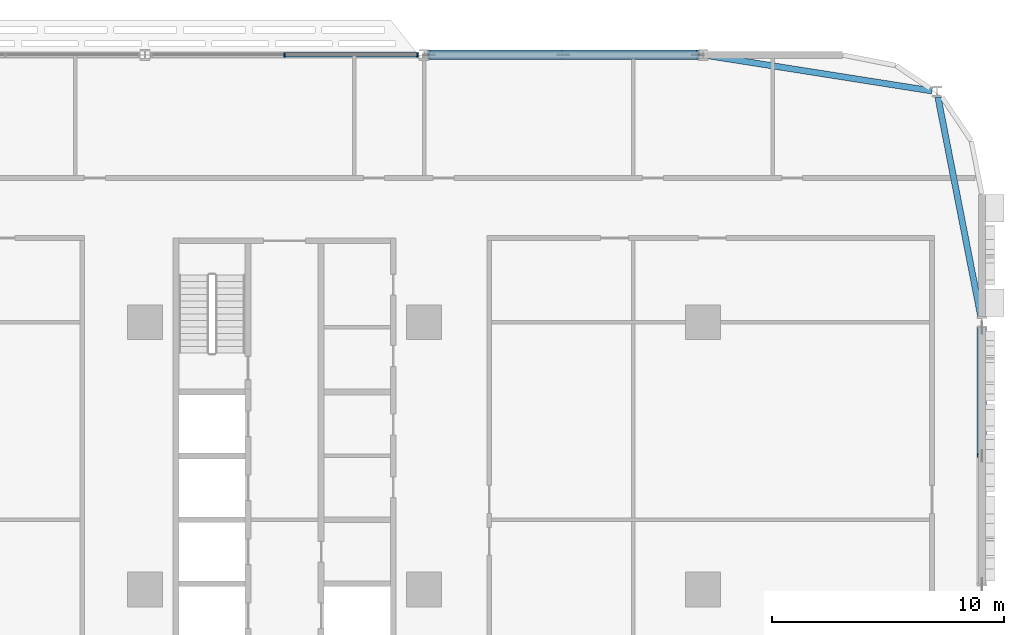
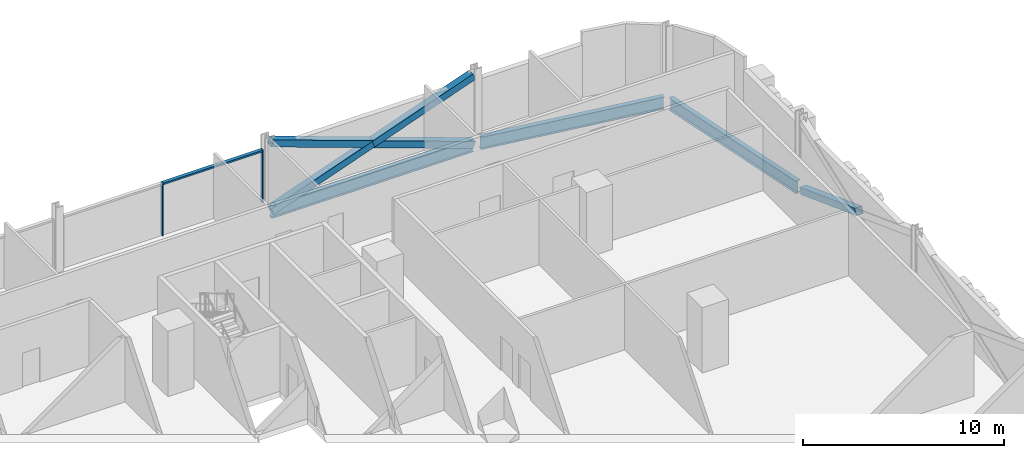
# One storey, part 10 of 29: 7 members, 3 beams, 1 element without a shape of its own.
"""IFC4 building model written with IfcOpenShell, lengths in metres."""

from ifc_helpers import new_model, si_unit, direction, frame, origin, origin_2d, place, context, subcontext, project, spatial, rectangle, hollow_rectangle, i_section, extrude, material, material_profile, profile_set, type_object, element, aggregate, save


model = new_model("IFC4")

# Units and contexts
model_context = context("Model", 3, precision=1e-05, world=origin(), true_north=direction((0.0, 1.0)))
body_context = subcontext(model_context, "Body", "Model", "MODEL_VIEW")
ifc_project = project(units=[si_unit("LENGTHUNIT", "METRE"), si_unit("AREAUNIT", "SQUARE_METRE"), si_unit("VOLUMEUNIT", "CUBIC_METRE"), si_unit("PLANEANGLEUNIT", "RADIAN"), si_unit("MASSUNIT", "GRAM", prefix="KILO")], contexts=[model_context])

# Site, building, storey
site_placement = place(None, origin())
site = spatial("IfcSite", under=ifc_project, at=site_placement, CompositionType="ELEMENT")
building_placement = place(site_placement, origin())
building = spatial("IfcBuilding", under=site, at=building_placement, Name="Mahtab Terrace Research Tower", CompositionType="ELEMENT")
storey_placement = place(building_placement, frame((0.0, 0.0, 58.89990234375)))
storey = spatial("IfcBuildingStorey", under=building, at=storey_placement, Name="L13", CompositionType="ELEMENT", Elevation=58.89990234375)

# Members
ifc_material_1 = material(Name="Steel ASTM A500 Gr C", Category="steel")
ifc_material_profile_1 = material_profile(ifc_material_1, hollow_rectangle(XDim=0.406494140625, YDim=0.406494140625, WallThickness=0.01904296875, at=origin_2d()), Name="HSS16X16X3/4")
ifc_profile_set_1 = profile_set([ifc_material_profile_1], Name="Steel ASTM A500 Gr C")
member_type_1 = type_object("IfcMemberType", Name="HSS 16x16x3/4 brace XB161634", PredefinedType="BRACE", material=ifc_profile_set_1)
member_1_placement = place(storey_placement, frame((41.787841796875, 23.0, -0.642333984375), z_axis=(-0.941386519928, 0.0, 0.337329838731), x_axis=(0.0, -1.0, 0.0)))
element("IfcMember", 1, at=member_1_placement, inside=storey, type_object=member_type_1, Name="Exoskeleton brace L13 02 a", PredefinedType="BRACE", context=body_context, shape_type="SweptSolid", body=[
    extrude(hollow_rectangle(XDim=0.406494140625, YDim=0.406494140625, WallThickness=0.01904296875, at=origin_2d()), origin(), (0.0, 0.0, 1.0), 12.29638671875),
])
for number, where, z_axis, x_axis, name in (
    (2, (30.212158203125, 23.0, -0.642333984375), (0.941386519928, 0.0, 0.337329838731), (0.0, 1.0, 0.0), "Exoskeleton brace L13 02 b1"),
    (3, (36.0, 23.0, 1.431640625), (0.941386519928, 0.0, 0.337329838731), (0.0, 1.0, 0.0), "Exoskeleton brace L13 02 b2"),
):
    element("IfcMember", number, at=place(storey_placement, frame(where, z_axis=z_axis, x_axis=x_axis)), inside=storey, type_object=member_type_1, Name=name, PredefinedType="BRACE", context=body_context, shape_type="SweptSolid", body=[
        extrude(hollow_rectangle(XDim=0.406494140625, YDim=0.406494140625, WallThickness=0.01904296875, at=origin_2d()), origin(), (0.0, 0.0, 1.0), 6.148193359375),
    ])
member_2_placement = place(storey_placement, frame((54.0, 11.262451171875, -0.629638671875), z_axis=(0.0, -0.936657793787, 0.350245881259), x_axis=(1.0, 0.0, 0.0)))
element("IfcMember", 4, at=member_2_placement, inside=storey, type_object=member_type_1, Name="Exoskeleton brace L13 23 b1", PredefinedType="BRACE", context=body_context, shape_type="SweptSolid", body=[
    extrude(hollow_rectangle(XDim=0.406494140625, YDim=0.406494140625, WallThickness=0.01904296875, at=origin_2d()), origin(), (0.0, 0.0, 1.0), 5.88525390625),
])

# Curtain wall, members
ifc_material_2 = material(Name="Laboratory ribbon curtain wall")
curtain_wall_type = type_object("IfcCurtainWallType", Name="Laboratory ribbon curtain wall", PredefinedType="NOTDEFINED", material=ifc_material_2)
curtain_wall_placement = place(storey_placement, origin())
curtain_wall = element("IfcCurtainWall", 5, at=curtain_wall_placement, inside=storey, type_object=curtain_wall_type, Name="EN.L13.3.5", PredefinedType="NOTDEFINED")
ifc_material_3 = material(Name="Natural anodised aluminium", Category="aluminium")
ifc_material_profile_2 = material_profile(ifc_material_3, rectangle(XDim=0.199951171875, YDim=0.06494140625, at=origin_2d()), Name="MULLION 65x200")
ifc_profile_set_2 = profile_set([ifc_material_profile_2], Name="Natural anodised aluminium")
member_type_2 = type_object("IfcMemberType", Name="Laboratory ribbon curtain wall mullion", PredefinedType="MULLION", material=ifc_profile_set_2)
member_3_placement = place(storey_placement, frame((29.7294921875, 23.0, 0.0), z_axis=(0.0, 0.0, 1.0), x_axis=(0.0, -1.0, 0.0)))
member_3 = element("IfcMember", 6, at=member_3_placement, type_object=member_type_2, Name="CWL-2 mullion 1", PredefinedType="MULLION", context=body_context, shape_type="SweptSolid", body=[
    extrude(rectangle(XDim=0.199951171875, YDim=0.06494140625, at=origin_2d()), origin(), (0.0, 0.0, 1.0), 3.203125),
])
member_4_placement = place(storey_placement, frame((24.0, 23.0, 0.0), z_axis=(0.0, 0.0, 1.0), x_axis=(0.0, -1.0, 0.0)))
member_4 = element("IfcMember", 7, at=member_4_placement, type_object=member_type_2, Name="CWL-2 mullion 2", PredefinedType="MULLION", context=body_context, shape_type="SweptSolid", body=[
    extrude(rectangle(XDim=0.199951171875, YDim=0.06494140625, at=origin_2d()), origin(), (0.0, 0.0, 1.0), 3.203125),
])
ifc_material_profile_3 = material_profile(ifc_material_3, rectangle(XDim=0.199951171875, YDim=0.10009765625, at=origin_2d()), Name="TRANSOM 100x200")
ifc_profile_set_3 = profile_set([ifc_material_profile_3], Name="Natural anodised aluminium")
member_type_3 = type_object("IfcMemberType", Name="Laboratory ribbon curtain wall transom", PredefinedType="USERDEFINED", material=ifc_profile_set_3)
member_5_placement = place(storey_placement, frame((29.697021484375, 23.0, 3.153076171875), z_axis=(-1.0, 0.0, 0.0), x_axis=(0.0, -1.0, 0.0)))
member_5 = element("IfcMember", 8, at=member_5_placement, type_object=member_type_3, Name="CWL-2 transom 1", ObjectType="TRANSOM", PredefinedType="USERDEFINED", context=body_context, shape_type="SweptSolid", body=[
    extrude(rectangle(XDim=0.199951171875, YDim=0.10009765625, at=origin_2d()), origin(), (0.0, 0.0, 1.0), 5.66455078125),
])
aggregate(curtain_wall, [member_3, member_4, member_5])

# Beams
ifc_material_4 = material(Name="Steel ASTM A992 Gr 50", Category="steel")
ifc_material_profile_4 = material_profile(ifc_material_4, i_section(OverallWidth=0.2666015625, OverallDepth=0.7568359375, WebThickness=0.013916015625, FlangeThickness=0.019287109375, at=origin_2d()), Name="W30X108")
ifc_profile_set_4 = profile_set([ifc_material_profile_4], Name="Steel ASTM A992 Gr 50")
beam_type = type_object("IfcBeamType", Name="W30x108 beam BS30108", PredefinedType="BEAM", material=ifc_profile_set_4)
beam_1_placement = place(storey_placement, frame((51.849853515625, 21.449462890625, -0.71826171875), z_axis=(-0.987836303792, 0.155497385545, 0.0), x_axis=(-0.155497385545, -0.987836303792, 0.0)))
element("IfcBeam", 9, at=beam_1_placement, inside=storey, type_object=beam_type, Name="Spandrel beam L13 01", PredefinedType="BEAM", context=body_context, shape_type="SweptSolid", body=[
    extrude(i_section(OverallWidth=0.2666015625, OverallDepth=0.7568359375, WebThickness=0.013916015625, FlangeThickness=0.019287109375, at=origin_2d()), origin(), (0.0, 0.0, 1.0), 9.75634765625),
])
beam_2_placement = place(storey_placement, frame((41.787841796875, 23.0, -0.71826171875), z_axis=(-1.0, 0.0, 0.0), x_axis=(0.0, -1.0, 0.0)))
element("IfcBeam", 10, at=beam_2_placement, inside=storey, type_object=beam_type, Name="Spandrel beam L13 02", PredefinedType="BEAM", context=body_context, shape_type="SweptSolid", body=[
    extrude(i_section(OverallWidth=0.2666015625, OverallDepth=0.7568359375, WebThickness=0.013916015625, FlangeThickness=0.019287109375, at=origin_2d()), origin(), (0.0, 0.0, 1.0), 11.57568359375),
])
beam_3_placement = place(storey_placement, frame((53.95361328125, 11.737548828125, -0.71826171875), z_axis=(-0.191819239661, 0.981430272254, 0.0), x_axis=(-0.981430272254, -0.191819239661, 0.0)))
element("IfcBeam", 11, at=beam_3_placement, inside=storey, type_object=beam_type, Name="Spandrel beam L13 24", PredefinedType="BEAM", context=body_context, shape_type="SweptSolid", body=[
    extrude(i_section(OverallWidth=0.2666015625, OverallDepth=0.7568359375, WebThickness=0.013916015625, FlangeThickness=0.019287109375, at=origin_2d()), origin(), (0.0, 0.0, 1.0), 9.61962890625),
])

save(model, "model.ifc")
